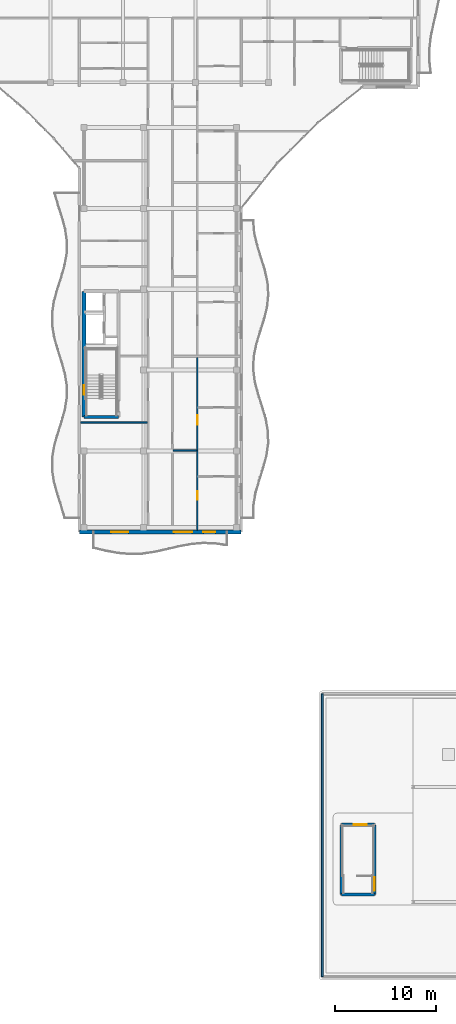
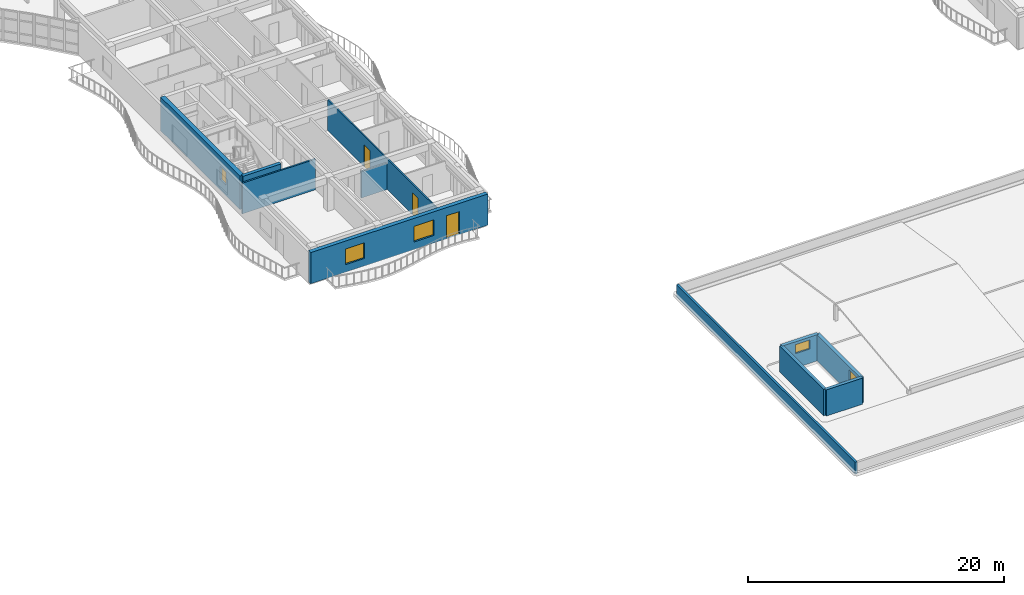
# One storey, part 38 of 79: 11 walls, 4 doors, 4 windows, 8 openings.
"""IFC4 building model written with IfcOpenShell, lengths in metres."""

from ifc_helpers import new_model, si_unit, direction, frame, frame_2d, origin, place, context, subcontext, project, spatial, rectangle, extrude, material, layer, layer_set, type_object, element, fill, save


model = new_model("IFC4")

# Units and contexts
model_context = context("Model", 3, precision=1e-05, world=origin(), true_north=direction((0.0, 1.0)))
body_context = subcontext(model_context, "Body", "Model", "MODEL_VIEW")
ifc_project = project(units=[si_unit("LENGTHUNIT", "METRE"), si_unit("AREAUNIT", "SQUARE_METRE"), si_unit("VOLUMEUNIT", "CUBIC_METRE"), si_unit("PLANEANGLEUNIT", "RADIAN"), si_unit("MASSUNIT", "GRAM", prefix="KILO")], contexts=[model_context])

# Site, building, storey
site_placement = place(None, origin())
site = spatial("IfcSite", under=ifc_project, at=site_placement, CompositionType="ELEMENT")
building_placement = place(site_placement, origin())
building = spatial("IfcBuilding", under=site, at=building_placement, Name="Keldmere Railside Commons", CompositionType="ELEMENT")
storey_placement = place(building_placement, frame((0.0, 0.0, 10.56005859375)))
storey = spatial("IfcBuildingStorey", under=building, at=storey_placement, Name="L03", CompositionType="ELEMENT", Elevation=10.56005859375)

# Wall, openings, doors
ifc_material_1 = material(Name="Acoustic Gypsum Board Partition", Category="gypsum")
ifc_layer_1 = layer(ifc_material_1, 0.1201171875, Name="Apartment Interior Partition 120")
ifc_layer_set_1 = layer_set([ifc_layer_1], Name="Acoustic Gypsum Board Partition")
wall_type_1 = type_object("IfcWallType", Name="Apartment Interior Partition 120", PredefinedType="PARTITIONING", material=ifc_layer_set_1)
wall_1_placement = place(storey_placement, frame((115.659912109375, 56.179931640625, 0.0), z_axis=(0.0, 0.0, 1.0), x_axis=(0.0, 1.0, 0.0)))
wall_1 = element("IfcWall", 1, at=wall_1_placement, inside=storey, type_object=wall_type_1, Name="IW-4 IW-L03-1020", PredefinedType="PARTITIONING", context=body_context, shape_type="SweptSolid", body=[
    extrude(rectangle(XDim=17.090087890625, YDim=0.1201171875, at=frame_2d((8.544921875, 0.0))), origin(), (0.0, 0.0, 1.0), 2.93505859375),
])
opening_1_placement = place(wall_1_placement, frame((2.98681640625, 0.0, 0.0)))
opening_1 = element("IfcOpeningElement", 2, at=opening_1_placement, cuts=wall_1, Name="Opening ID-04", PredefinedType="OPENING", context=body_context, shape_type="SweptSolid", body=[
    extrude(rectangle(XDim=0.860107421875, YDim=2.10009765625, at=frame_2d((0.43017578125, 1.050048828125))), frame((0.0, 0.070068359375, 0.0), z_axis=(0.0, -1.0, 0.0), x_axis=(1.0, 0.0, 0.0)), (0.0, 0.0, 1.0), 0.14013671875),
])
opening_2_placement = place(wall_1_placement, frame((10.4443359375, 0.0, 0.0)))
opening_2 = element("IfcOpeningElement", 3, at=opening_2_placement, cuts=wall_1, Name="Opening ID-03", PredefinedType="OPENING", context=body_context, shape_type="SweptSolid", body=[
    extrude(rectangle(XDim=0.919921875, YDim=2.10009765625, at=frame_2d((0.4599609375, 1.050048828125))), frame((0.0, 0.070068359375, 0.0), z_axis=(0.0, -1.0, 0.0), x_axis=(1.0, 0.0, 0.0)), (0.0, 0.0, 1.0), 0.14013671875),
])
ifc_material_2 = material(Name="Engineered Oak Timber", Category="wood")
door_type_1 = type_object("IfcDoorType", Name="Apartment Bathroom Door 860x2100", OperationType="NOTDEFINED", PredefinedType="DOOR", material=ifc_material_2)
door_1_placement = place(opening_1_placement, origin())
door_1 = element("IfcDoor", 4, at=door_1_placement, inside=storey, type_object=door_type_1, Name="ID-04 IDR-L03-0885", OperationType="SINGLE_SWING_LEFT", OverallHeight=2.10009765625, OverallWidth=0.860107421875, PredefinedType="DOOR", context=body_context, shape_type="SweptSolid", body=[
    extrude(rectangle(XDim=0.860107421875, YDim=2.10009765625, at=frame_2d((0.43017578125, 1.050048828125))), frame((0.0, 0.02490234375, 0.0), z_axis=(0.0, -1.0, 0.0), x_axis=(1.0, 0.0, 0.0)), (0.0, 0.0, 1.0), 0.050048828125),
])
fill(opening_1, door_1)
door_type_2 = type_object("IfcDoorType", Name="Kitchen Pocket-Frame Swing Door 920x2100", OperationType="NOTDEFINED", PredefinedType="DOOR", material=ifc_material_2)
door_2_placement = place(opening_2_placement, origin())
door_2 = element("IfcDoor", 5, at=door_2_placement, inside=storey, type_object=door_type_2, Name="ID-03 IDR-L03-0886", OperationType="SINGLE_SWING_RIGHT", OverallHeight=2.10009765625, OverallWidth=0.919921875, PredefinedType="DOOR", context=body_context, shape_type="SweptSolid", body=[
    extrude(rectangle(XDim=0.919921875, YDim=2.10009765625, at=frame_2d((0.4599609375, 1.050048828125))), frame((0.0, 0.02490234375, 0.0), z_axis=(0.0, -1.0, 0.0), x_axis=(1.0, 0.0, 0.0)), (0.0, 0.0, 1.0), 0.050048828125),
])
fill(opening_2, door_2)

# Wall, opening, window
ifc_material_3 = material(Name="Concrete H-40 (C40/50)", Category="concrete")
ifc_layer_2 = layer(ifc_material_3, 0.3798828125, Name="Core Shear Wall 380")
ifc_layer_set_2 = layer_set([ifc_layer_2], Name="Concrete H-40 (C40/50)")
wall_type_2 = type_object("IfcWallType", Name="Core Shear Wall 380", PredefinedType="SHEAR", material=ifc_layer_set_2)
wall_2_placement = place(storey_placement, frame((104.4599609375, 67.35009765625, 0.0), z_axis=(0.0, 0.0, 1.0), x_axis=(0.0, 1.0, 0.0)))
wall_2 = element("IfcWall", 6, at=wall_2_placement, inside=storey, type_object=wall_type_2, Name="CW-CORE COREBW-L03-0468", PredefinedType="SHEAR", context=body_context, shape_type="SweptSolid", body=[
    extrude(rectangle(XDim=12.449951171875, YDim=0.3798828125, at=frame_2d((6.22509765625, 0.0))), origin(), (0.0, 0.0, 1.0), 3.199951171875),
])
opening_3_placement = place(wall_2_placement, frame((2.199951171875, 0.0, 0.969970703125)))
opening_3 = element("IfcOpeningElement", 7, at=opening_3_placement, cuts=wall_2, Name="Opening WN-17", PredefinedType="OPENING", context=body_context, shape_type="SweptSolid", body=[
    extrude(rectangle(XDim=0.949951171875, YDim=1.25, at=frame_2d((0.47509765625, 0.625))), frame((0.0, 0.199951171875, 0.0), z_axis=(0.0, -1.0, 0.0), x_axis=(1.0, 0.0, 0.0)), (0.0, 0.0, 1.0), 0.39990234375),
])
ifc_material_4 = material(Name="Low-E Insulated Double Glazing", Category="glass")
window_type_1 = type_object("IfcWindowType", Name="Stair Core Natural Smoke-Vent Window 950x1250", PartitioningType="SINGLE_PANEL", PredefinedType="WINDOW", material=ifc_material_4)
window_1_placement = place(opening_3_placement, origin())
window_1 = element("IfcWindow", 8, at=window_1_placement, inside=storey, type_object=window_type_1, Name="WN-17 WIN-L03-0340", OverallHeight=1.25, OverallWidth=0.949951171875, PartitioningType="SINGLE_PANEL", PredefinedType="WINDOW", context=body_context, shape_type="SweptSolid", body=[
    extrude(rectangle(XDim=0.949951171875, YDim=1.25, at=frame_2d((0.47509765625, 0.625))), frame((0.0, 0.030029296875, 0.0), z_axis=(0.0, -1.0, 0.0), x_axis=(1.0, 0.0, 0.0)), (0.0, 0.0, 1.0), 0.06005859375),
])
fill(opening_3, window_1)

# Wall, openings, door, windows
ifc_material_5 = material(Name="Concrete H-35 (C35/45)", Category="concrete")
ifc_layer_3 = layer(ifc_material_5, 0.360107421875, Name="Exterior Shear Wall 360")
ifc_layer_set_3 = layer_set([ifc_layer_3], Name="Concrete H-35 (C35/45)")
wall_type_3 = type_object("IfcWallType", Name="Exterior Shear Wall 360", PredefinedType="SHEAR", material=ifc_layer_set_3)
wall_3_placement = place(storey_placement, frame((120.0, 56.0, 0.0), z_axis=(0.0, 0.0, 1.0), x_axis=(-1.0, 0.0, 0.0)))
wall_3 = element("IfcWall", 9, at=wall_3_placement, inside=storey, type_object=wall_type_3, Name="ESW-1 EXTB-L03-0602", PredefinedType="SHEAR", context=body_context, shape_type="SweptSolid", body=[
    extrude(rectangle(XDim=16.0, YDim=0.360107421875, at=frame_2d((8.0, 0.0))), origin(), (0.0, 0.0, 1.0), 2.97998046875),
])
opening_4_placement = place(wall_3_placement, frame((2.550048828125, 0.0, 0.0)))
opening_4 = element("IfcOpeningElement", 10, at=opening_4_placement, cuts=wall_3, Name="Opening BD-01", PredefinedType="OPENING", context=body_context, shape_type="SweptSolid", body=[
    extrude(rectangle(XDim=1.199951171875, YDim=2.199951171875, at=frame_2d((0.60009765625, 1.10009765625))), frame((0.0, 0.18994140625, 0.0), z_axis=(0.0, -1.0, 0.0), x_axis=(1.0, 0.0, 0.0)), (0.0, 0.0, 1.0), 0.380126953125),
])
opening_5_placement = place(wall_3_placement, frame((4.85009765625, 0.0, 0.719970703125)))
opening_5 = element("IfcOpeningElement", 11, at=opening_5_placement, cuts=wall_3, Name="Opening WN-01", PredefinedType="OPENING", context=body_context, shape_type="SweptSolid", body=[
    extrude(rectangle(XDim=1.800048828125, YDim=1.5, at=frame_2d((0.89990234375, 0.75))), frame((0.0, 0.18994140625, 0.0), z_axis=(0.0, -1.0, 0.0), x_axis=(1.0, 0.0, 0.0)), (0.0, 0.0, 1.0), 0.380126953125),
])
opening_6_placement = place(wall_3_placement, frame((11.14990234375, 0.0, 0.719970703125)))
opening_6 = element("IfcOpeningElement", 12, at=opening_6_placement, cuts=wall_3, Name="Opening WN-20", PredefinedType="OPENING", context=body_context, shape_type="SweptSolid", body=[
    extrude(rectangle(XDim=1.699951171875, YDim=1.5, at=frame_2d((0.85009765625, 0.75))), frame((0.0, 0.18994140625, 0.0), z_axis=(0.0, -1.0, 0.0), x_axis=(1.0, 0.0, 0.0)), (0.0, 0.0, 1.0), 0.380126953125),
])
ifc_material_6 = material(Name="Thermally Broken Aluminium", Category="aluminium")
door_type_3 = type_object("IfcDoorType", Name="Apartment Living Wave-Balcony Glazed Door 1200x2200", OperationType="NOTDEFINED", PredefinedType="DOOR", material=ifc_material_6)
door_3_placement = place(opening_4_placement, origin())
door_3 = element("IfcDoor", 13, at=door_3_placement, inside=storey, type_object=door_type_3, Name="BD-01 DR-L03-0144", OperationType="SINGLE_SWING_RIGHT", OverallHeight=2.199951171875, OverallWidth=1.199951171875, PredefinedType="DOOR", context=body_context, shape_type="SweptSolid", body=[
    extrude(rectangle(XDim=1.199951171875, YDim=2.199951171875, at=frame_2d((0.60009765625, 1.10009765625))), frame((0.0, 0.02490234375, 0.0), z_axis=(0.0, -1.0, 0.0), x_axis=(1.0, 0.0, 0.0)), (0.0, 0.0, 1.0), 0.050048828125),
])
fill(opening_4, door_3)
window_type_2 = type_object("IfcWindowType", Name="Living Room North Casement Window 1800x1500", PartitioningType="SINGLE_PANEL", PredefinedType="WINDOW", material=ifc_material_4)
window_2_placement = place(opening_5_placement, origin())
window_2 = element("IfcWindow", 14, at=window_2_placement, inside=storey, type_object=window_type_2, Name="WN-01 WIN-L03-0400", OverallHeight=1.5, OverallWidth=1.800048828125, PartitioningType="SINGLE_PANEL", PredefinedType="WINDOW", context=body_context, shape_type="SweptSolid", body=[
    extrude(rectangle(XDim=1.800048828125, YDim=1.5, at=frame_2d((0.89990234375, 0.75))), frame((0.0, 0.030029296875, 0.0), z_axis=(0.0, -1.0, 0.0), x_axis=(1.0, 0.0, 0.0)), (0.0, 0.0, 1.0), 0.06005859375),
])
fill(opening_5, window_2)
window_type_3 = type_object("IfcWindowType", Name="Study Room Quiet Casement Window 1700x1500", PartitioningType="SINGLE_PANEL", PredefinedType="WINDOW", material=ifc_material_4)
window_3_placement = place(opening_6_placement, origin())
window_3 = element("IfcWindow", 15, at=window_3_placement, inside=storey, type_object=window_type_3, Name="WN-20 WIN-L03-0401", OverallHeight=1.5, OverallWidth=1.699951171875, PartitioningType="SINGLE_PANEL", PredefinedType="WINDOW", context=body_context, shape_type="SweptSolid", body=[
    extrude(rectangle(XDim=1.699951171875, YDim=1.5, at=frame_2d((0.85009765625, 0.75))), frame((0.0, 0.030029296875, 0.0), z_axis=(0.0, -1.0, 0.0), x_axis=(1.0, 0.0, 0.0)), (0.0, 0.0, 1.0), 0.06005859375),
])
fill(opening_6, window_3)

# Walls
ifc_layer_4 = layer(ifc_material_5, 0.300048828125, Name="Interior Shear Wall 300")
ifc_layer_set_4 = layer_set([ifc_layer_4], Name="Concrete H-35 (C35/45)")
wall_type_4 = type_object("IfcWallType", Name="Interior Shear Wall 300", PredefinedType="SHEAR", material=ifc_layer_set_4)
wall_4_placement = place(storey_placement, frame((107.8701171875, 67.35009765625, 0.0), z_axis=(0.0, 0.0, 1.0), x_axis=(-1.0, 0.0, 0.0)))
element("IfcWall", 16, at=wall_4_placement, inside=storey, type_object=wall_type_4, Name="ISW-2 COREBS-L03-0471", PredefinedType="SHEAR", context=body_context, shape_type="SweptSolid", body=[
    extrude(rectangle(XDim=3.41015625, YDim=0.300048828125, at=frame_2d((1.705078125, 0.0))), origin(), (0.0, 0.0, 1.0), 3.199951171875),
])
wall_5_placement = place(storey_placement, frame((133.199951171875, 20.14990234375, 0.0), z_axis=(0.0, 0.0, 1.0), x_axis=(-1.0, 0.0, 0.0)))
element("IfcWall", 17, at=wall_5_placement, inside=storey, type_object=wall_type_4, Name="ISW-2 WAL-ST-M1-L03-S", PredefinedType="SHEAR", context=body_context, shape_type="SweptSolid", body=[
    extrude(rectangle(XDim=3.2900390625, YDim=0.300048828125, at=frame_2d((1.64501953125, 0.0))), origin(), (0.0, 0.0, 1.0), 2.5),
])

# Wall, opening, door
wall_6_placement = place(storey_placement, frame((133.199951171875, 27.050048828125, 0.0), z_axis=(0.0, 0.0, 1.0), x_axis=(0.0, -1.0, 0.0)))
wall_6 = element("IfcWall", 18, at=wall_6_placement, inside=storey, type_object=wall_type_4, Name="ISW-2 WAL-ST-M1-L03-E", PredefinedType="SHEAR", context=body_context, shape_type="SweptSolid", body=[
    extrude(rectangle(XDim=6.900146484375, YDim=0.300048828125, at=frame_2d((3.4501953125, 0.0))), origin(), (0.0, 0.0, 1.0), 2.5),
])
opening_7_placement = place(wall_6_placement, frame((5.199951171875, 0.0, 0.0)))
opening_7 = element("IfcOpeningElement", 19, at=opening_7_placement, cuts=wall_6, Name="Opening BD-03", PredefinedType="OPENING", context=body_context, shape_type="SweptSolid", body=[
    extrude(rectangle(XDim=1.35009765625, YDim=2.199951171875, at=frame_2d((0.675048828125, 1.10009765625))), frame((0.0, 0.159912109375, 0.0), z_axis=(0.0, -1.0, 0.0), x_axis=(1.0, 0.0, 0.0)), (0.0, 0.0, 1.0), 0.320068359375),
])
door_type_4 = type_object("IfcDoorType", Name="Planted Roof-Terrace Lounge Door 1350x2200", OperationType="NOTDEFINED", PredefinedType="DOOR", material=ifc_material_6)
door_4_placement = place(opening_7_placement, origin())
door_4 = element("IfcDoor", 20, at=door_4_placement, inside=storey, type_object=door_type_4, Name="BD-03 Arcade Roof Terrace Door 1", OperationType="SINGLE_SWING_LEFT", OverallHeight=2.199951171875, OverallWidth=1.35009765625, PredefinedType="DOOR", context=body_context, shape_type="SweptSolid", body=[
    extrude(rectangle(XDim=1.35009765625, YDim=2.199951171875, at=frame_2d((0.675048828125, 1.10009765625))), frame((0.0, 0.02490234375, 0.0), z_axis=(0.0, -1.0, 0.0), x_axis=(1.0, 0.0, 0.0)), (0.0, 0.0, 1.0), 0.050048828125),
])
fill(opening_7, door_4)

# Wall, opening, window
wall_7_placement = place(storey_placement, frame((129.909912109375, 27.050048828125, 0.0), z_axis=(0.0, 0.0, 1.0), x_axis=(1.0, 0.0, 0.0)))
wall_7 = element("IfcWall", 21, at=wall_7_placement, inside=storey, type_object=wall_type_4, Name="ISW-2 WAL-ST-M1-L03-N", PredefinedType="SHEAR", context=body_context, shape_type="SweptSolid", body=[
    extrude(rectangle(XDim=3.2900390625, YDim=0.300048828125, at=frame_2d((1.64501953125, 0.0))), origin(), (0.0, 0.0, 1.0), 2.5),
])
opening_8_placement = place(wall_7_placement, frame((1.199951171875, 0.0, 1.3701171875)))
opening_8 = element("IfcOpeningElement", 22, at=opening_8_placement, cuts=wall_7, Name="Opening WN-37", PredefinedType="OPENING", context=body_context, shape_type="SweptSolid", body=[
    extrude(rectangle(XDim=1.300048828125, YDim=0.85009765625, at=frame_2d((0.64990234375, 0.425048828125))), frame((0.0, 0.159912109375, 0.0), z_axis=(0.0, -1.0, 0.0), x_axis=(1.0, 0.0, 0.0)), (0.0, 0.0, 1.0), 0.320068359375),
])
window_type_4 = type_object("IfcWindowType", Name="Headhouse Louvre-Glazed Clerestory 1300x850", PartitioningType="SINGLE_PANEL", PredefinedType="WINDOW", material=ifc_material_4)
window_4_placement = place(opening_8_placement, origin())
window_4 = element("IfcWindow", 23, at=window_4_placement, inside=storey, type_object=window_type_4, Name="WN-37 WIN-L03-0847", OverallHeight=0.85009765625, OverallWidth=1.300048828125, PartitioningType="SINGLE_PANEL", PredefinedType="WINDOW", context=body_context, shape_type="SweptSolid", body=[
    extrude(rectangle(XDim=1.300048828125, YDim=0.85009765625, at=frame_2d((0.64990234375, 0.425048828125))), frame((0.0, 0.030029296875, 0.0), z_axis=(0.0, -1.0, 0.0), x_axis=(1.0, 0.0, 0.0)), (0.0, 0.0, 1.0), 0.06005859375),
])
fill(opening_8, window_4)

# Walls
wall_8_placement = place(storey_placement, frame((129.909912109375, 20.14990234375, 0.0), z_axis=(0.0, 0.0, 1.0), x_axis=(0.0, 1.0, 0.0)))
element("IfcWall", 24, at=wall_8_placement, inside=storey, type_object=wall_type_4, Name="ISW-2 WAL-ST-M1-L03-W", PredefinedType="SHEAR", context=body_context, shape_type="SweptSolid", body=[
    extrude(rectangle(XDim=6.900146484375, YDim=0.300048828125, at=frame_2d((3.4501953125, 0.0))), origin(), (0.0, 0.0, 1.0), 2.5),
])
ifc_layer_5 = layer(ifc_material_1, 0.14990234375, Name="Lobby Rated Partition 150")
ifc_layer_set_5 = layer_set([ifc_layer_5], Name="Acoustic Gypsum Board Partition")
wall_type_5 = type_object("IfcWallType", Name="Lobby Rated Partition 150", PredefinedType="PARTITIONING", material=ifc_layer_set_5)
wall_9_placement = place(storey_placement, frame((104.1201171875, 66.820068359375, 0.0), z_axis=(0.0, 0.0, 1.0), x_axis=(1.0, 0.0, 0.0)))
element("IfcWall", 25, at=wall_9_placement, inside=storey, type_object=wall_type_5, Name="IW-3 IW-L03-1006", PredefinedType="PARTITIONING", context=body_context, shape_type="SweptSolid", body=[
    extrude(rectangle(XDim=6.599853515625, YDim=0.14990234375, at=frame_2d((3.2998046875, 0.0))), origin(), (0.0, 0.0, 1.0), 2.93505859375),
])
ifc_material_7 = material(Name="Architectural Precast Concrete H-35 (C35/45)", Category="concrete")
ifc_layer_6 = layer(ifc_material_7, 0.18994140625, Name="Roof Parapet Wall 190")
ifc_layer_set_6 = layer_set([ifc_layer_6], Name="Architectural Precast Concrete H-35 (C35/45)")
wall_type_6 = type_object("IfcWallType", Name="Roof Parapet Wall 190", PredefinedType="PARAPET", material=ifc_layer_set_6)
wall_10_placement = place(storey_placement, frame((128.0, 12.0, 0.0), z_axis=(0.0, 0.0, 1.0), x_axis=(0.0, 1.0, 0.0)))
element("IfcWall", 26, at=wall_10_placement, inside=storey, type_object=wall_type_6, Name="PW-1 ARCP-L03-1032", PredefinedType="PARAPET", context=body_context, shape_type="SweptSolid", body=[
    extrude(rectangle(XDim=28.0, YDim=0.18994140625, at=frame_2d((14.0, 0.0))), origin(), (0.0, 0.0, 1.0), 1.14990234375),
])
ifc_layer_7 = layer(ifc_material_1, 0.139892578125, Name="Wet-Room Sanitary Partition 140")
ifc_layer_set_7 = layer_set([ifc_layer_7], Name="Acoustic Gypsum Board Partition")
wall_type_7 = type_object("IfcWallType", Name="Wet-Room Sanitary Partition 140", PredefinedType="PARTITIONING", material=ifc_layer_set_7)
wall_11_placement = place(storey_placement, frame((113.280029296875, 64.0400390625, 0.0), z_axis=(0.0, 0.0, 1.0), x_axis=(1.0, 0.0, 0.0)))
element("IfcWall", 27, at=wall_11_placement, inside=storey, type_object=wall_type_7, Name="IW-5 IW-L03-1021", PredefinedType="PARTITIONING", context=body_context, shape_type="SweptSolid", body=[
    extrude(rectangle(XDim=2.320068359375, YDim=0.139892578125, at=frame_2d((1.16015625, 0.0))), origin(), (0.0, 0.0, 1.0), 2.530029296875),
])

save(model, "model.ifc")
